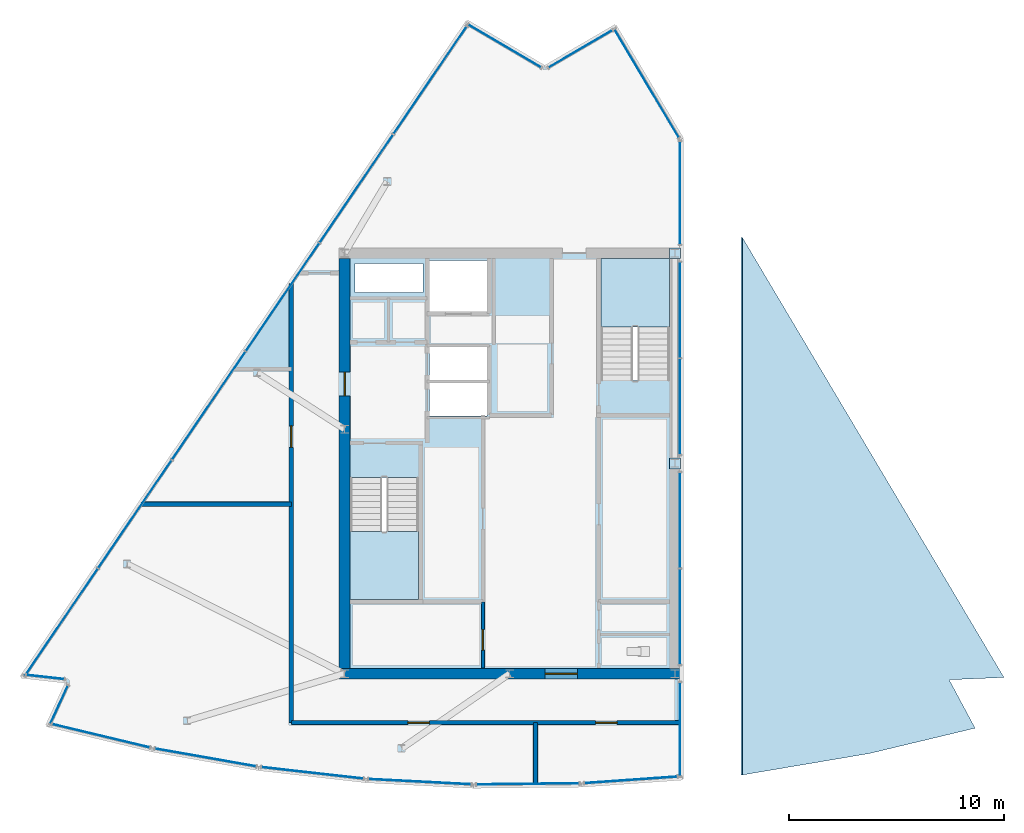
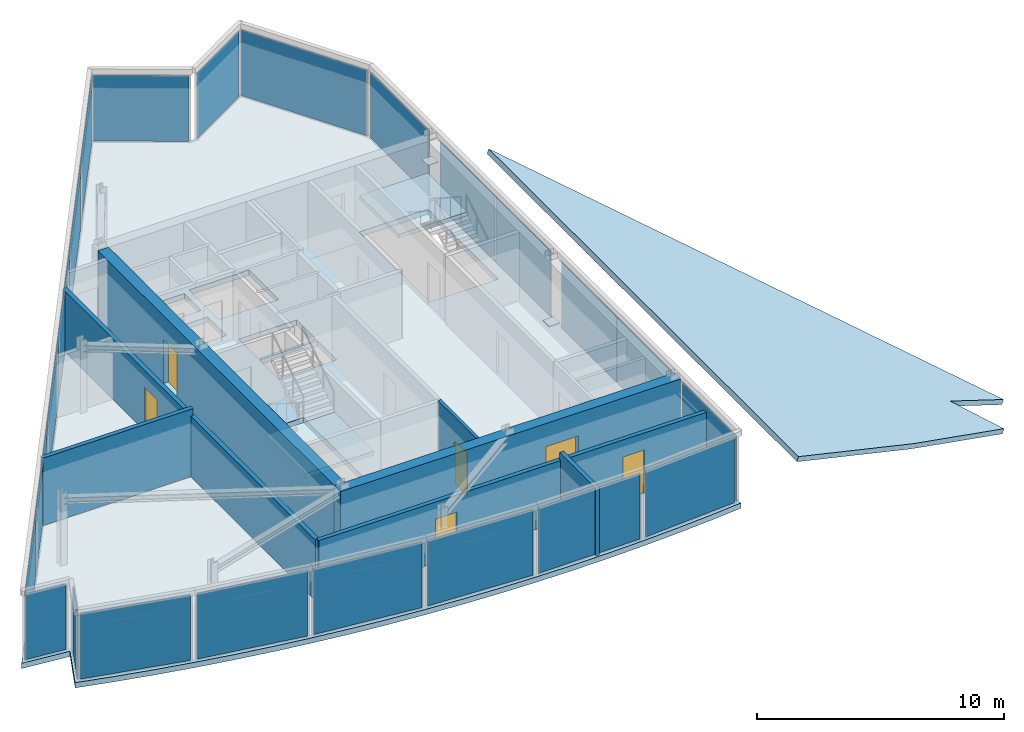
# One storey, part 4 of 10: 25 plates, 7 walls, 6 doors, 4 slabs, 6 openings, 18 elements without a shape of their own.
"""IFC4 building model written with IfcOpenShell, lengths in metres."""

from ifc_helpers import new_model, si_unit, direction, frame, frame_2d, origin, origin_2d, place, context, subcontext, project, spatial, polyline, rectangle, outline, extrude, material, layer, layer_set, type_object, element, fill, aggregate, save


model = new_model("IFC4")

# Units and contexts
model_context = context("Model", 3, precision=1e-05, world=origin(), true_north=direction((0.0, 1.0)))
body_context = subcontext(model_context, "Body", "Model", "MODEL_VIEW")
ifc_project = project(units=[si_unit("LENGTHUNIT", "METRE"), si_unit("AREAUNIT", "SQUARE_METRE"), si_unit("VOLUMEUNIT", "CUBIC_METRE"), si_unit("PLANEANGLEUNIT", "RADIAN"), si_unit("MASSUNIT", "GRAM", prefix="KILO")], contexts=[model_context])

# Site, building, storey
site_placement = place(None, origin())
site = spatial("IfcSite", under=ifc_project, at=site_placement, CompositionType="ELEMENT")
building_placement = place(site_placement, origin())
building = spatial("IfcBuilding", under=site, at=building_placement, Name="Savorim Split Tower", CompositionType="ELEMENT")
storey_placement = place(building_placement, frame((0.0, 0.0, 315.60009765625)))
storey = spatial("IfcBuildingStorey", under=building, at=storey_placement, Name="Crown L84 Plant", CompositionType="ELEMENT", Elevation=315.60009765625)

# Curtain wall, plate
ifc_material_1 = material(Name="Dark Ceramic-Fritted Insulated Glass", Category="glass")
curtain_wall_type = type_object("IfcCurtainWallType", Name="CW-CROWN-CREST", PredefinedType="NOTDEFINED", material=ifc_material_1)
curtain_wall_1_placement = place(storey_placement, origin())
curtain_wall_1 = element("IfcCurtainWall", 1, at=curtain_wall_1_placement, inside=storey, type_object=curtain_wall_type, Name="Crown L84 Plant Curtain Wall CW-Crown-L84-Plant-W1AS1", PredefinedType="NOTDEFINED")
ifc_layer_1 = layer(ifc_material_1, 0.02587890625)
ifc_layer_set_1 = layer_set([ifc_layer_1], Name="CWP-FRITB-26")
plate_type_1 = type_object("IfcPlateType", Name="CWP-FRITB-26", PredefinedType="CURTAIN_PANEL", material=ifc_layer_set_1)
plate_1_placement = place(storey_placement, frame((7.929931640625, -11.995849609375, 0.0498046875), z_axis=(0.0, 0.0, 1.0), x_axis=(0.0, 1.0, 0.0)))
plate_1 = element("IfcPlate", 2, at=plate_1_placement, type_object=plate_type_1, Name="CW-07 panel 1.1", PredefinedType="CURTAIN_PANEL", context=body_context, shape_type="SweptSolid", body=[
    extrude(rectangle(XDim=4.339599609375, YDim=0.02587890625, at=origin_2d()), origin(), (0.0, 0.0, 1.0), 3.239990234375),
])
aggregate(curtain_wall_1, [plate_1])

# Curtain wall, plates
curtain_wall_2_placement = place(storey_placement, origin())
curtain_wall_2 = element("IfcCurtainWall", 3, at=curtain_wall_2_placement, inside=storey, type_object=curtain_wall_type, Name="Crown L84 Plant Curtain Wall CW-Crown-L84-Plant-W1AS2", PredefinedType="NOTDEFINED")
plate_2_placement = place(storey_placement, frame((7.929931640625, -6.751953125, 0.0498046875), z_axis=(0.0, 0.0, 1.0), x_axis=(0.0, 1.0, 0.0)))
plate_2 = element("IfcPlate", 4, at=plate_2_placement, type_object=plate_type_1, Name="CW-07 panel 1.1", PredefinedType="CURTAIN_PANEL", context=body_context, shape_type="SweptSolid", body=[
    extrude(rectangle(XDim=4.444091796875, YDim=0.02587890625, at=origin_2d()), origin(), (0.0, 0.0, 1.0), 3.239990234375),
])
plate_3_placement = place(storey_placement, frame((7.929931640625, -2.248046875, 0.0498046875), z_axis=(0.0, 0.0, 1.0), x_axis=(0.0, 1.0, 0.0)))
plate_3 = element("IfcPlate", 5, at=plate_3_placement, type_object=plate_type_1, Name="CW-07 panel 2.1", PredefinedType="CURTAIN_PANEL", context=body_context, shape_type="SweptSolid", body=[
    extrude(rectangle(XDim=4.444091796875, YDim=0.02587890625, at=origin_2d()), origin(), (0.0, 0.0, 1.0), 3.239990234375),
])
aggregate(curtain_wall_2, [plate_2, plate_3])

curtain_wall_3_placement = place(storey_placement, origin())
curtain_wall_3 = element("IfcCurtainWall", 6, at=curtain_wall_3_placement, inside=storey, type_object=curtain_wall_type, Name="Crown L84 Plant Curtain Wall CW-Crown-L84-Plant-W1AS3", PredefinedType="NOTDEFINED")
plate_4_placement = place(storey_placement, frame((7.929931640625, 3.048095703125, 0.0498046875), z_axis=(0.0, 0.0, 1.0), x_axis=(0.0, 1.0, 0.0)))
plate_4 = element("IfcPlate", 7, at=plate_4_placement, type_object=plate_type_1, Name="CW-07 panel 1.1", PredefinedType="CURTAIN_PANEL", context=body_context, shape_type="SweptSolid", body=[
    extrude(rectangle(XDim=4.444091796875, YDim=0.02587890625, at=origin_2d()), origin(), (0.0, 0.0, 1.0), 3.239990234375),
])
plate_5_placement = place(storey_placement, frame((7.929931640625, 7.552001953125, 0.0498046875), z_axis=(0.0, 0.0, 1.0), x_axis=(0.0, 1.0, 0.0)))
plate_5 = element("IfcPlate", 8, at=plate_5_placement, type_object=plate_type_1, Name="CW-07 panel 2.1", PredefinedType="CURTAIN_PANEL", context=body_context, shape_type="SweptSolid", body=[
    extrude(rectangle(XDim=4.444091796875, YDim=0.02587890625, at=origin_2d()), origin(), (0.0, 0.0, 1.0), 3.239990234375),
])
aggregate(curtain_wall_3, [plate_4, plate_5])

# Curtain wall, plate
curtain_wall_4_placement = place(storey_placement, origin())
curtain_wall_4 = element("IfcCurtainWall", 9, at=curtain_wall_4_placement, inside=storey, type_object=curtain_wall_type, Name="Crown L84 Plant Curtain Wall CW-Crown-L84-Plant-W1AS4", PredefinedType="NOTDEFINED")
plate_6_placement = place(storey_placement, frame((7.929931640625, 13.015869140625, 0.0498046875), z_axis=(0.0, 0.0, 1.0), x_axis=(0.0, 1.0, 0.0)))
plate_6 = element("IfcPlate", 10, at=plate_6_placement, type_object=plate_type_1, Name="CW-07 panel 1.1", PredefinedType="CURTAIN_PANEL", context=body_context, shape_type="SweptSolid", body=[
    extrude(rectangle(XDim=4.77978515625, YDim=0.02587890625, at=origin_2d()), origin(), (0.0, 0.0, 1.0), 3.239990234375),
])
aggregate(curtain_wall_4, [plate_6])

curtain_wall_5_placement = place(storey_placement, origin())
curtain_wall_5 = element("IfcCurtainWall", 11, at=curtain_wall_5_placement, inside=storey, type_object=curtain_wall_type, Name="Crown L84 Plant Curtain Wall CW-Crown-L84-Plant-W2A", PredefinedType="NOTDEFINED")
plate_7_placement = place(storey_placement, frame((6.3818359375, 18.116455078125, 0.0498046875), z_axis=(0.0, 0.0, 1.0), x_axis=(-0.511098828813, 0.859521952707, 0.0)))
plate_7 = element("IfcPlate", 12, at=plate_7_placement, type_object=plate_type_1, Name="CW-07 panel 1.1", PredefinedType="CURTAIN_PANEL", context=body_context, shape_type="SweptSolid", body=[
    extrude(rectangle(XDim=5.843994140625, YDim=0.02587890625, at=origin_2d()), origin(), (0.0, 0.0, 1.0), 3.239990234375),
])
aggregate(curtain_wall_5, [plate_7])

curtain_wall_6_placement = place(storey_placement, origin())
curtain_wall_6 = element("IfcCurtainWall", 13, at=curtain_wall_6_placement, inside=storey, type_object=curtain_wall_type, Name="Crown L84 Plant Curtain Wall CW-Crown-L84-Plant-W3A", PredefinedType="NOTDEFINED")
plate_8_placement = place(storey_placement, frame((3.2919921875, 19.721923828125, 0.0498046875), z_axis=(0.0, 0.0, 1.0), x_axis=(-0.863983828765, -0.503519556356, 0.0)))
plate_8 = element("IfcPlate", 14, at=plate_8_placement, type_object=plate_type_1, Name="CW-07 panel 1.1", PredefinedType="CURTAIN_PANEL", context=body_context, shape_type="SweptSolid", body=[
    extrude(rectangle(XDim=3.41845703125, YDim=0.02587890625, at=origin_2d()), origin(), (0.0, 0.0, 1.0), 3.239990234375),
])
aggregate(curtain_wall_6, [plate_8])

curtain_wall_7_placement = place(storey_placement, origin())
curtain_wall_7 = element("IfcCurtainWall", 15, at=curtain_wall_7_placement, inside=storey, type_object=curtain_wall_type, Name="Crown L84 Plant Curtain Wall CW-Crown-L84-Plant-W4A", PredefinedType="NOTDEFINED")
plate_9_placement = place(storey_placement, frame((-0.235107421875, 19.853759765625, 0.0498046875), z_axis=(0.0, 0.0, 1.0), x_axis=(-0.86212020365, 0.506703813346, 0.0)))
plate_9 = element("IfcPlate", 16, at=plate_9_placement, type_object=plate_type_1, Name="CW-07 panel 1.1", PredefinedType="CURTAIN_PANEL", context=body_context, shape_type="SweptSolid", body=[
    extrude(rectangle(XDim=3.914794921875, YDim=0.02587890625, at=origin_2d()), origin(), (0.0, 0.0, 1.0), 3.239990234375),
])
aggregate(curtain_wall_7, [plate_9])

# Curtain wall, plates
curtain_wall_8_placement = place(storey_placement, origin())
curtain_wall_8 = element("IfcCurtainWall", 17, at=curtain_wall_8_placement, inside=storey, type_object=curtain_wall_type, Name="Crown L84 Plant Curtain Wall CW-Crown-L84-Plant-W5A", PredefinedType="NOTDEFINED")
plate_10_placement = place(storey_placement, frame((-3.716552734375, 18.257568359375, 0.0498046875), z_axis=(0.0, 0.0, 1.0), x_axis=(-0.56246654398, -0.826820045054, 0.0)))
plate_10 = element("IfcPlate", 18, at=plate_10_placement, type_object=plate_type_1, Name="CW-07 panel 1.1", PredefinedType="CURTAIN_PANEL", context=body_context, shape_type="SweptSolid", body=[
    extrude(rectangle(XDim=6.02880859375, YDim=0.02587890625, at=origin_2d()), origin(), (0.0, 0.0, 1.0), 3.239990234375),
])
plate_11_placement = place(storey_placement, frame((-7.149658203125, 13.2109375, 0.0498046875), z_axis=(0.0, 0.0, 1.0), x_axis=(-0.56246654398, -0.826820045054, 0.0)))
plate_11 = element("IfcPlate", 19, at=plate_11_placement, type_object=plate_type_1, Name="CW-07 panel 2.1", PredefinedType="CURTAIN_PANEL", context=body_context, shape_type="SweptSolid", body=[
    extrude(rectangle(XDim=6.058837890625, YDim=0.02587890625, at=origin_2d()), origin(), (0.0, 0.0, 1.0), 3.239990234375),
])
plate_12_placement = place(storey_placement, frame((-10.59130859375, 8.151611328125, 0.0498046875), z_axis=(0.0, 0.0, 1.0), x_axis=(-0.56246654398, -0.826820045054, 0.0)))
plate_12 = element("IfcPlate", 20, at=plate_12_placement, type_object=plate_type_1, Name="CW-07 panel 3.1", PredefinedType="CURTAIN_PANEL", context=body_context, shape_type="SweptSolid", body=[
    extrude(rectangle(XDim=6.058837890625, YDim=0.02587890625, at=origin_2d()), origin(), (0.0, 0.0, 1.0), 3.239990234375),
])
plate_13_placement = place(storey_placement, frame((-14.032958984375, 3.092529296875, 0.0498046875), z_axis=(0.0, 0.0, 1.0), x_axis=(-0.56246654398, -0.826820045054, 0.0)))
plate_13 = element("IfcPlate", 21, at=plate_13_placement, type_object=plate_type_1, Name="CW-07 panel 4.1", PredefinedType="CURTAIN_PANEL", context=body_context, shape_type="SweptSolid", body=[
    extrude(rectangle(XDim=6.058837890625, YDim=0.02587890625, at=origin_2d()), origin(), (0.0, 0.0, 1.0), 3.239990234375),
])
plate_14_placement = place(storey_placement, frame((-17.474609375, -1.966552734375, 0.0498046875), z_axis=(0.0, 0.0, 1.0), x_axis=(-0.56246654398, -0.826820045054, 0.0)))
plate_14 = element("IfcPlate", 22, at=plate_14_placement, type_object=plate_type_1, Name="CW-07 panel 5.1", PredefinedType="CURTAIN_PANEL", context=body_context, shape_type="SweptSolid", body=[
    extrude(rectangle(XDim=6.058837890625, YDim=0.02587890625, at=origin_2d()), origin(), (0.0, 0.0, 1.0), 3.239990234375),
])
plate_15_placement = place(storey_placement, frame((-20.90771484375, -7.01318359375, 0.0498046875), z_axis=(0.0, 0.0, 1.0), x_axis=(-0.56246654398, -0.826820045054, 0.0)))
plate_15 = element("IfcPlate", 23, at=plate_15_placement, type_object=plate_type_1, Name="CW-07 panel 6.1", PredefinedType="CURTAIN_PANEL", context=body_context, shape_type="SweptSolid", body=[
    extrude(rectangle(XDim=6.02880859375, YDim=0.02587890625, at=origin_2d()), origin(), (0.0, 0.0, 1.0), 3.239990234375),
])
aggregate(curtain_wall_8, [plate_10, plate_11, plate_12, plate_13, plate_14, plate_15])

# Curtain wall, plate
curtain_wall_9_placement = place(storey_placement, origin())
curtain_wall_9 = element("IfcCurtainWall", 24, at=curtain_wall_9_placement, inside=storey, type_object=curtain_wall_type, Name="Crown L84 Plant Curtain Wall CW-Crown-L84-Plant-W6A", PredefinedType="NOTDEFINED")
plate_16_placement = place(storey_placement, frame((-21.65185546875, -9.55908203125, 0.0498046875), z_axis=(0.0, 0.0, 1.0), x_axis=(0.993819192461, -0.111010867473, 0.0)))
plate_16 = element("IfcPlate", 25, at=plate_16_placement, type_object=plate_type_1, Name="CW-07 panel 1.1", PredefinedType="CURTAIN_PANEL", context=body_context, shape_type="SweptSolid", body=[
    extrude(rectangle(XDim=1.75537109375, YDim=0.02587890625, at=origin_2d()), origin(), (0.0, 0.0, 1.0), 3.239990234375),
])
aggregate(curtain_wall_9, [plate_16])

curtain_wall_10_placement = place(storey_placement, origin())
curtain_wall_10 = element("IfcCurtainWall", 26, at=curtain_wall_10_placement, inside=storey, type_object=curtain_wall_type, Name="Crown L84 Plant Curtain Wall CW-Crown-L84-Plant-W7A", PredefinedType="NOTDEFINED")
plate_17_placement = place(storey_placement, frame((-21.010009765625, -10.853759765625, 0.0498046875), z_axis=(0.0, 0.0, 1.0), x_axis=(-0.417493697045, -0.908679818708, 0.0)))
plate_17 = element("IfcPlate", 27, at=plate_17_placement, type_object=plate_type_1, Name="CW-07 panel 1.1", PredefinedType="CURTAIN_PANEL", context=body_context, shape_type="SweptSolid", body=[
    extrude(rectangle(XDim=1.947998046875, YDim=0.02587890625, at=origin_2d()), origin(), (0.0, 0.0, 1.0), 3.239990234375),
])
aggregate(curtain_wall_10, [plate_17])

curtain_wall_11_placement = place(storey_placement, origin())
curtain_wall_11 = element("IfcCurtainWall", 28, at=curtain_wall_11_placement, inside=storey, type_object=curtain_wall_type, Name="Crown L84 Plant Curtain Wall CW-Crown-L84-Plant-W8A", PredefinedType="NOTDEFINED")
plate_18_placement = place(storey_placement, frame((-19.0546875, -12.299072265625, 0.0498046875), z_axis=(0.0, 0.0, 1.0), x_axis=(0.972438231439, -0.233160644267, 0.0)))
plate_18 = element("IfcPlate", 29, at=plate_18_placement, type_object=plate_type_1, Name="CW-07 panel 1.1", PredefinedType="CURTAIN_PANEL", context=body_context, shape_type="SweptSolid", body=[
    extrude(rectangle(XDim=4.654296875, YDim=0.02587890625, at=origin_2d()), origin(), (0.0, 0.0, 1.0), 3.239990234375),
])
aggregate(curtain_wall_11, [plate_18])

curtain_wall_12_placement = place(storey_placement, origin())
curtain_wall_12 = element("IfcCurtainWall", 30, at=curtain_wall_12_placement, inside=storey, type_object=curtain_wall_type, Name="Crown L84 Plant Curtain Wall CW-Crown-L84-Plant-W9A", PredefinedType="NOTDEFINED")
plate_19_placement = place(storey_placement, frame((-14.18115234375, -13.308837890625, 0.0498046875), z_axis=(0.0, 0.0, 1.0), x_axis=(0.984911828095, -0.173056900697, 0.0)))
plate_19 = element("IfcPlate", 31, at=plate_19_placement, type_object=plate_type_1, Name="CW-07 panel 1.1", PredefinedType="CURTAIN_PANEL", context=body_context, shape_type="SweptSolid", body=[
    extrude(rectangle(XDim=4.75927734375, YDim=0.02587890625, at=origin_2d()), origin(), (0.0, 0.0, 1.0), 3.239990234375),
])
aggregate(curtain_wall_12, [plate_19])

curtain_wall_13_placement = place(storey_placement, origin())
curtain_wall_13 = element("IfcCurtainWall", 32, at=curtain_wall_13_placement, inside=storey, type_object=curtain_wall_type, Name="Crown L84 Plant Curtain Wall CW-Crown-L84-Plant-W10A", PredefinedType="NOTDEFINED")
plate_20_placement = place(storey_placement, frame((-9.202880859375, -14.02685546875, 0.0498046875), z_axis=(0.0, 0.0, 1.0), x_axis=(0.993670979106, -0.112329805852, 0.0)))
plate_20 = element("IfcPlate", 33, at=plate_20_placement, type_object=plate_type_1, Name="CW-07 panel 1.1", PredefinedType="CURTAIN_PANEL", context=body_context, shape_type="SweptSolid", body=[
    extrude(rectangle(XDim=4.75927734375, YDim=0.02587890625, at=origin_2d()), origin(), (0.0, 0.0, 1.0), 3.239990234375),
])
aggregate(curtain_wall_13, [plate_20])

curtain_wall_14_placement = place(storey_placement, origin())
curtain_wall_14 = element("IfcCurtainWall", 34, at=curtain_wall_14_placement, inside=storey, type_object=curtain_wall_type, Name="Crown L84 Plant Curtain Wall CW-Crown-L84-Plant-W11A", PredefinedType="NOTDEFINED")
plate_21_placement = place(storey_placement, frame((-4.190185546875, -14.43798828125, 0.0498046875), z_axis=(0.0, 0.0, 1.0), x_axis=(0.998690779459, -0.051153954138, 0.0)))
plate_21 = element("IfcPlate", 35, at=plate_21_placement, type_object=plate_type_1, Name="CW-07 panel 1.1", PredefinedType="CURTAIN_PANEL", context=body_context, shape_type="SweptSolid", body=[
    extrude(rectangle(XDim=4.75927734375, YDim=0.02587890625, at=origin_2d()), origin(), (0.0, 0.0, 1.0), 3.239990234375),
])
aggregate(curtain_wall_14, [plate_21])

curtain_wall_15_placement = place(storey_placement, origin())
curtain_wall_15 = element("IfcCurtainWall", 36, at=curtain_wall_15_placement, inside=storey, type_object=curtain_wall_type, Name="Crown L84 Plant Curtain Wall CW-Crown-L84-Plant-W12A", PredefinedType="NOTDEFINED")
plate_22_placement = place(storey_placement, frame((0.83837890625, -14.541015625, 0.0498046875), z_axis=(0.0, 0.0, 1.0), x_axis=(0.999947705311, 0.010226761181, 0.0)))
plate_22 = element("IfcPlate", 37, at=plate_22_placement, type_object=plate_type_1, Name="CW-07 panel 1.1", PredefinedType="CURTAIN_PANEL", context=body_context, shape_type="SweptSolid", body=[
    extrude(rectangle(XDim=4.75927734375, YDim=0.02587890625, at=origin_2d()), origin(), (0.0, 0.0, 1.0), 3.239990234375),
])
aggregate(curtain_wall_15, [plate_22])

curtain_wall_16_placement = place(storey_placement, origin())
curtain_wall_16 = element("IfcCurtainWall", 38, at=curtain_wall_16_placement, inside=storey, type_object=curtain_wall_type, Name="Crown L84 Plant Curtain Wall CW-Crown-L84-Plant-W13A", PredefinedType="NOTDEFINED")
plate_23_placement = place(storey_placement, frame((5.643798828125, -14.3544921875, 0.0498046875), z_axis=(0.0, 0.0, 1.0), x_axis=(0.99753938404, 0.070108325395, 0.0)))
plate_23 = element("IfcPlate", 39, at=plate_23_placement, type_object=plate_type_1, Name="CW-07 panel 1.1", PredefinedType="CURTAIN_PANEL", context=body_context, shape_type="SweptSolid", body=[
    extrude(rectangle(XDim=4.3173828125, YDim=0.02587890625, at=origin_2d()), origin(), (0.0, 0.0, 1.0), 3.239990234375),
])
aggregate(curtain_wall_16, [plate_23])

# Plates
ifc_material_2 = material(Name="Steel S460", Category="steel")
ifc_layer_2 = layer(ifc_material_2, 0.02490234375)
ifc_layer_set_2 = layer_set([ifc_layer_2], Name="PLT-NODE-CN1")
plate_type_2 = type_object("IfcPlateType", Name="PLT-NODE-CN1", PredefinedType="SHEET", material=ifc_layer_set_2)
for number, where, z_axis, x_axis, name in (
    (40, (7.699951171875, 0.39990234375, 0.137451171875), (0.0, 0.0, 1.0), (1.0, 0.0, 0.0), "Crown L84 Plant Crown Spine Base Gusset Plate CN1"),
    (41, (7.699951171875, 10.199951171875, 2.137451171875), (0.0, 0.0, 1.0), (1.0, 0.0, 0.0), "Crown L84 Plant Crown Spine Top Gusset Plate CN2"),
):
    element("IfcPlate", number, at=place(storey_placement, frame(where, z_axis=z_axis, x_axis=x_axis)), inside=storey, type_object=plate_type_2, Name=name, PredefinedType="SHEET", context=body_context, shape_type="SweptSolid", body=[
        extrude(rectangle(XDim=0.5, YDim=0.5, at=origin_2d()), origin(), (0.0, 0.0, 1.0), 0.02490234375),
    ])

# Slab
ifc_material_3 = material(Name="Concrete C50/60", Category="concrete")
ifc_layer_3 = layer(ifc_material_3, 0.260009765625)
ifc_layer_set_3 = layer_set([ifc_layer_3], Name="SLB-CRN-260")
slab_type_1 = type_object("IfcSlabType", Name="SLB-CRN-260", PredefinedType="FLOOR", material=ifc_layer_set_3)
slab_1_placement = place(storey_placement, frame((0.0, 0.0, -0.260009765625)))
element("IfcSlab", 42, at=slab_1_placement, inside=storey, type_object=slab_type_1, Name="Crown L84 Plant West Split Crown Floor Slab", PredefinedType="FLOOR", context=body_context, shape_type="SweptSolid", body=[
    extrude(outline(polyline([(8.050048828125, -14.3056640625), (8.050048828125, 15.5458984375), (4.920166015625, 20.8095703125), (1.634033203125, 18.894287109375), (-1.982421875, 21.02001953125), (-22.781005859375, -9.5537109375), (-20.65380859375, -9.79150390625), (-21.583984375, -11.81591796875), (-19.95849609375, -12.2412109375), (-18.324951171875, -12.6328125), (-16.68359375, -12.990966796875), (-15.03515625, -13.3154296875), (-13.380615234375, -13.606201171875), (-11.72021484375, -13.863037109375), (-10.054931640625, -14.0859375), (-8.385498046875, -14.274658203125), (-6.712646484375, -14.42919921875), (-5.037109375, -14.54931640625), (-3.359130859375, -14.63525390625), (-1.679931640625, -14.686767578125), (0.0, -14.7041015625), (1.679931640625, -14.686767578125), (3.359130859375, -14.63525390625), (5.037109375, -14.54931640625), (6.712646484375, -14.42919921875), (8.050048828125, -14.3056640625)]), holes=[polyline([(-7.449951171875, -0.25390625), (-7.449951171875, -5.949951171875), (-4.25, -5.949951171875), (-4.25, -0.25390625), (-7.449951171875, -0.25390625)]), polyline([(7.449951171875, 4.25390625), (7.449951171875, 9.949951171875), (4.25, 9.949951171875), (4.25, 4.25390625), (7.449951171875, 4.25390625)]), polyline([(-3.75, 2.60009765625), (-1.050048828125, 2.60009765625), (-1.050048828125, 4.159912109375), (-3.75, 4.159912109375), (-3.75, 2.60009765625)]), polyline([(-3.75, 4.280029296875), (-1.050048828125, 4.280029296875), (-1.050048828125, 5.840087890625), (-3.75, 5.840087890625), (-3.75, 4.280029296875)]), polyline([(-3.75, 7.449951171875), (-0.949951171875, 7.449951171875), (-0.949951171875, 9.85009765625), (-3.75, 9.85009765625), (-3.75, 7.449951171875)]), polyline([(-7.219970703125, 6.320068359375), (-5.919921875, 6.320068359375), (-5.919921875, 7.820068359375), (-7.219970703125, 7.820068359375), (-7.219970703125, 6.320068359375)]), polyline([(-5.3798828125, 6.320068359375), (-4.050048828125, 6.320068359375), (-4.050048828125, 7.820068359375), (-5.3798828125, 7.820068359375), (-5.3798828125, 6.320068359375)]), polyline([(-7.219970703125, 8.360107421875), (-4.050048828125, 8.360107421875), (-4.050048828125, 9.719970703125), (-7.219970703125, 9.719970703125), (-7.219970703125, 8.360107421875)])]), origin(), (0.0, 0.0, 1.0), 0.260009765625),
])

# Stair, slab
stair_type = type_object("IfcStairType", Name="STR-DOG-3600", PredefinedType="HALF_TURN_STAIR", material=ifc_material_3)
stair_1_placement = place(storey_placement, origin())
stair_1 = element("IfcStair", 43, at=stair_1_placement, inside=storey, type_object=stair_type, Name="Crown L84 Plant Core Protected Exit Stair ST-1", PredefinedType="HALF_TURN_STAIR")
ifc_layer_4 = layer(ifc_material_3, 0.199951171875)
ifc_layer_set_4 = layer_set([ifc_layer_4], Name="SLB-LND-200")
slab_type_2 = type_object("IfcSlabType", Name="SLB-LND-200", PredefinedType="LANDING", material=ifc_layer_set_4)
slab_2_placement = place(storey_placement, frame((0.0, 0.0, 1.599853515625)))
slab_2 = element("IfcSlab", 44, at=slab_2_placement, type_object=slab_type_2, Name="ST-1 landing 1", PredefinedType="LANDING", context=body_context, shape_type="SweptSolid", body=[
    extrude(outline(polyline([(-7.449951171875, -2.77001953125), (-7.449951171875, -5.949951171875), (-4.25, -5.949951171875), (-4.25, -2.77001953125), (-7.449951171875, -2.77001953125)])), origin(), (0.0, 0.0, 1.0), 0.199951171875),
])
aggregate(stair_1, [slab_2])

stair_2_placement = place(storey_placement, origin())
stair_2 = element("IfcStair", 45, at=stair_2_placement, inside=storey, type_object=stair_type, Name="Crown L84 Plant Core Protected Exit Stair ST-2", PredefinedType="HALF_TURN_STAIR")
slab_3_placement = place(storey_placement, frame((0.0, 0.0, 1.599853515625)))
slab_3 = element("IfcSlab", 46, at=slab_3_placement, type_object=slab_type_2, Name="ST-2 landing 1", PredefinedType="LANDING", context=body_context, shape_type="SweptSolid", body=[
    extrude(outline(polyline([(7.449951171875, 6.77001953125), (7.449951171875, 9.949951171875), (4.25, 9.949951171875), (4.25, 6.77001953125), (7.449951171875, 6.77001953125)])), origin(), (0.0, 0.0, 1.0), 0.199951171875),
])
aggregate(stair_2, [slab_3])

# Slab
ifc_layer_5 = layer(ifc_material_3, 0.239990234375)
ifc_layer_set_5 = layer_set([ifc_layer_5], Name="SLB-ROOF-240")
slab_type_3 = type_object("IfcSlabType", Name="SLB-ROOF-240", PredefinedType="ROOF", material=ifc_layer_set_5)
slab_4_placement = place(storey_placement, frame((10.85009765625, 10.92578125, 1.199951171875), z_axis=(0.326139301126, -6.467367e-06, 0.945321721013), x_axis=(-2.109263e-06, -0.999999999979, -6.113743e-06)))
element("IfcSlab", 47, at=slab_4_placement, inside=storey, type_object=slab_type_3, Name="East Split Crown Sloped Crest Roof Slab", PredefinedType="ROOF", context=body_context, shape_type="SweptSolid", body=[
    extrude(outline(polyline([(0.0, 0.0), (25.050781249476103, 0.0), (24.04931640668761, 6.263677092795473), (22.868164062244972, 11.474848323798241), (20.612792968814304, 10.194658388227637), (20.504150390002565, 12.897332872529086), (0.0, 0.0)])), origin(), (0.0, 0.0, -1.0), 0.239990234375),
])

# Wall, opening, door
ifc_material_4 = material(Name="Concrete C60/75", Category="concrete")
ifc_layer_6 = layer(ifc_material_4, 0.5)
ifc_layer_set_6 = layer_set([ifc_layer_6], Name="WAL-COR-SH500")
wall_type_1 = type_object("IfcWallType", Name="WAL-COR-SH500", PredefinedType="SHEAR", material=ifc_layer_set_6)
wall_1_placement = place(storey_placement, frame((-7.949951171875, -9.39990234375, 0.0), z_axis=(0.0, 0.0, 1.0), x_axis=(1.0, 0.0, 0.0)))
wall_1 = element("IfcWall", 48, at=wall_1_placement, inside=storey, type_object=wall_type_1, Name="Crown L84 Plant Offset Core South Shear Wall", PredefinedType="SHEAR", context=body_context, shape_type="SweptSolid", body=[
    extrude(rectangle(XDim=15.89990234375, YDim=0.5, at=frame_2d((7.949951171875, 0.0))), origin(), (0.0, 0.0, 1.0), 3.33984375),
])
opening_1_placement = place(wall_1_placement, frame((9.60009765625, 0.0, 0.0)))
opening_1 = element("IfcOpeningElement", 49, at=opening_1_placement, cuts=wall_1, Name="Opening DI-02", PredefinedType="OPENING", context=body_context, shape_type="SweptSolid", body=[
    extrude(rectangle(XDim=1.5, YDim=2.199951171875, at=frame_2d((0.75, 1.10009765625))), frame((0.0, 0.260009765625, 0.0), z_axis=(0.0, -1.0, 0.0), x_axis=(1.0, 0.0, 0.0)), (0.0, 0.0, 1.0), 0.52001953125),
])
ifc_material_5 = material(Name="Timber Fire Door Leaf", Category="wood")
door_type_1 = type_object("IfcDoorType", Name="DOR-DBL-1500", OperationType="NOTDEFINED", PredefinedType="DOOR", material=ifc_material_5)
door_1_placement = place(opening_1_placement, origin())
door_1 = element("IfcDoor", 50, at=door_1_placement, inside=storey, type_object=door_type_1, Name="DOR-Crown-L84-Plant-COR-LLOB - Crown L84 Plant Lift Lobby Main Rated Door", OperationType="DOUBLE_DOOR_SINGLE_SWING", OverallHeight=2.199951171875, OverallWidth=1.5, PredefinedType="DOOR", context=body_context, shape_type="SweptSolid", body=[
    extrude(rectangle(XDim=1.5, YDim=2.199951171875, at=frame_2d((0.75, 1.10009765625))), frame((0.0, 0.02490234375, 0.0), z_axis=(0.0, -1.0, 0.0), x_axis=(1.0, 0.0, 0.0)), (0.0, 0.0, 1.0), 0.050048828125),
])
fill(opening_1, door_1)

wall_2_placement = place(storey_placement, frame((-7.699951171875, -9.14990234375, 0.0), z_axis=(0.0, 0.0, 1.0), x_axis=(0.0, 1.0, 0.0)))
wall_2 = element("IfcWall", 51, at=wall_2_placement, inside=storey, type_object=wall_type_1, Name="Crown L84 Plant Offset Core West Shear Wall", PredefinedType="SHEAR", context=body_context, shape_type="SweptSolid", body=[
    extrude(rectangle(XDim=19.099853515625, YDim=0.5, at=frame_2d((9.5498046875, 0.0))), origin(), (0.0, 0.0, 1.0), 3.33984375),
])
opening_2_placement = place(wall_2_placement, frame((12.699951171875, 0.0, 0.0)))
opening_2 = element("IfcOpeningElement", 52, at=opening_2_placement, cuts=wall_2, Name="Opening DI-03", PredefinedType="OPENING", context=body_context, shape_type="SweptSolid", body=[
    extrude(rectangle(XDim=1.10009765625, YDim=2.14990234375, at=frame_2d((0.550048828125, 1.074951171875))), frame((0.0, 0.260009765625, 0.0), z_axis=(0.0, -1.0, 0.0), x_axis=(1.0, 0.0, 0.0)), (0.0, 0.0, 1.0), 0.52001953125),
])
door_type_2 = type_object("IfcDoorType", Name="DOR-FIR-1100", OperationType="NOTDEFINED", PredefinedType="DOOR", material=ifc_material_5)
door_2_placement = place(opening_2_placement, origin())
door_2 = element("IfcDoor", 53, at=door_2_placement, inside=storey, type_object=door_type_2, Name="DOR-Crown-L84-Plant-COR-FFLOB - Crown L84 Plant Firefighting Lobby Corridor Door", OperationType="SINGLE_SWING_RIGHT", OverallHeight=2.14990234375, OverallWidth=1.10009765625, PredefinedType="DOOR", context=body_context, shape_type="SweptSolid", body=[
    extrude(rectangle(XDim=1.10009765625, YDim=2.14990234375, at=frame_2d((0.550048828125, 1.074951171875))), frame((0.0, 0.02490234375, 0.0), z_axis=(0.0, -1.0, 0.0), x_axis=(1.0, 0.0, 0.0)), (0.0, 0.0, 1.0), 0.050048828125),
])
fill(opening_2, door_2)

ifc_layer_7 = layer(ifc_material_3, 0.199951171875)
ifc_layer_set_7 = layer_set([ifc_layer_7], Name="WAL-INT-RC200")
wall_type_2 = type_object("IfcWallType", Name="WAL-INT-RC200", PredefinedType="SOLIDWALL", material=ifc_layer_set_7)
wall_3_placement = place(storey_placement, frame((-10.179931640625, -11.679931640625, 0.0), z_axis=(0.0, 0.0, 1.0), x_axis=(0.0, 1.0, 0.0)))
wall_3 = element("IfcWall", 54, at=wall_3_placement, inside=storey, type_object=wall_type_2, Name="Crown L84 Plant Partition W-Crown-L84-Plant-CWPC1", PredefinedType="SOLIDWALL", context=body_context, shape_type="SweptSolid", body=[
    extrude(rectangle(XDim=20.4716796875, YDim=0.199951171875, at=frame_2d((10.23583984375, 0.0))), origin(), (0.0, 0.0, 1.0), 2.994873046875),
])
opening_3_placement = place(wall_3_placement, frame((12.830078125, 0.0, 0.0)))
opening_3 = element("IfcOpeningElement", 55, at=opening_3_placement, cuts=wall_3, Name="Opening DI-04", PredefinedType="OPENING", context=body_context, shape_type="SweptSolid", body=[
    extrude(rectangle(XDim=1.0, YDim=2.14990234375, at=frame_2d((0.5, 1.074951171875))), frame((0.0, 0.10986328125, 0.0), z_axis=(0.0, -1.0, 0.0), x_axis=(1.0, 0.0, 0.0)), (0.0, 0.0, 1.0), 0.219970703125),
])
door_type_3 = type_object("IfcDoorType", Name="DOR-FIR-1000", OperationType="NOTDEFINED", PredefinedType="DOOR", material=ifc_material_5)
door_3_placement = place(opening_3_placement, origin())
door_3 = element("IfcDoor", 56, at=door_3_placement, inside=storey, type_object=door_type_3, Name="DR-Crown-L84-Plant-RM04 - Crown L84 Plant Smoke Extract Fan Plant Room Entry Door", OperationType="SINGLE_SWING_LEFT", OverallHeight=2.14990234375, OverallWidth=1.0, PredefinedType="DOOR", context=body_context, shape_type="SweptSolid", body=[
    extrude(rectangle(XDim=1.0, YDim=2.14990234375, at=frame_2d((0.5, 1.074951171875))), frame((0.0, 0.02490234375, 0.0), z_axis=(0.0, -1.0, 0.0), x_axis=(1.0, 0.0, 0.0)), (0.0, 0.0, 1.0), 0.050048828125),
])
fill(opening_3, door_3)

# Wall, openings, doors
wall_4_placement = place(storey_placement, frame((-10.179931640625, -11.679931640625, 0.0), z_axis=(0.0, 0.0, 1.0), x_axis=(1.0, 0.0, 0.0)))
wall_4 = element("IfcWall", 57, at=wall_4_placement, inside=storey, type_object=wall_type_2, Name="Crown L84 Plant Partition W-Crown-L84-Plant-CWPC2", PredefinedType="SOLIDWALL", context=body_context, shape_type="SweptSolid", body=[
    extrude(rectangle(XDim=18.1298828125, YDim=0.199951171875, at=frame_2d((9.06494140625, 0.0))), origin(), (0.0, 0.0, 1.0), 2.994873046875),
])
opening_4_placement = place(wall_4_placement, frame((5.436279296875, 0.0, 0.0)))
opening_4 = element("IfcOpeningElement", 58, at=opening_4_placement, cuts=wall_4, Name="Opening DI-04", PredefinedType="OPENING", context=body_context, shape_type="SweptSolid", body=[
    extrude(rectangle(XDim=1.0, YDim=2.14990234375, at=frame_2d((0.5, 1.074951171875))), frame((0.0, 0.10986328125, 0.0), z_axis=(0.0, -1.0, 0.0), x_axis=(1.0, 0.0, 0.0)), (0.0, 0.0, 1.0), 0.219970703125),
])
opening_5_placement = place(wall_4_placement, frame((14.188720703125, 0.0, 0.0)))
opening_5 = element("IfcOpeningElement", 59, at=opening_5_placement, cuts=wall_4, Name="Opening DI-04", PredefinedType="OPENING", context=body_context, shape_type="SweptSolid", body=[
    extrude(rectangle(XDim=1.0, YDim=2.14990234375, at=frame_2d((0.5, 1.074951171875))), frame((0.0, 0.10986328125, 0.0), z_axis=(0.0, -1.0, 0.0), x_axis=(1.0, 0.0, 0.0)), (0.0, 0.0, 1.0), 0.219970703125),
])
door_4_placement = place(opening_4_placement, origin())
door_4 = element("IfcDoor", 60, at=door_4_placement, inside=storey, type_object=door_type_3, Name="DR-Crown-L84-Plant-RM01 - Crown L84 Plant AHU Mechanical Plant Room Entry Door", OperationType="SINGLE_SWING_RIGHT", OverallHeight=2.14990234375, OverallWidth=1.0, PredefinedType="DOOR", context=body_context, shape_type="SweptSolid", body=[
    extrude(rectangle(XDim=1.0, YDim=2.14990234375, at=frame_2d((0.5, 1.074951171875))), frame((0.0, 0.02490234375, 0.0), z_axis=(0.0, -1.0, 0.0), x_axis=(1.0, 0.0, 0.0)), (0.0, 0.0, 1.0), 0.050048828125),
])
fill(opening_4, door_4)
door_5_placement = place(opening_5_placement, origin())
door_5 = element("IfcDoor", 61, at=door_5_placement, inside=storey, type_object=door_type_3, Name="DR-Crown-L84-Plant-RM02 - Crown L84 Plant Chiller Plant Room Entry Door", OperationType="SINGLE_SWING_LEFT", OverallHeight=2.14990234375, OverallWidth=1.0, PredefinedType="DOOR", context=body_context, shape_type="SweptSolid", body=[
    extrude(rectangle(XDim=1.0, YDim=2.14990234375, at=frame_2d((0.5, 1.074951171875))), frame((0.0, 0.02490234375, 0.0), z_axis=(0.0, -1.0, 0.0), x_axis=(1.0, 0.0, 0.0)), (0.0, 0.0, 1.0), 0.050048828125),
])
fill(opening_5, door_5)

# Walls
wall_5_placement = place(storey_placement, frame((-17.181396484375, -1.5, 0.0), z_axis=(0.0, 0.0, 1.0), x_axis=(1.0, 0.0, 0.0)))
element("IfcWall", 62, at=wall_5_placement, inside=storey, type_object=wall_type_2, Name="Crown L84 Plant Partition W-Crown-L84-Plant-CDIV1", PredefinedType="SOLIDWALL", context=body_context, shape_type="SweptSolid", body=[
    extrude(rectangle(XDim=7.00146484375, YDim=0.199951171875, at=frame_2d((3.500732421875, 0.0))), origin(), (0.0, 0.0, 1.0), 3.33984375),
])
wall_6_placement = place(storey_placement, frame((1.199951171875, -14.591796875, 0.0), z_axis=(0.0, 0.0, 1.0), x_axis=(0.0, 1.0, 0.0)))
element("IfcWall", 63, at=wall_6_placement, inside=storey, type_object=wall_type_2, Name="Crown L84 Plant Partition W-Crown-L84-Plant-CDIVS", PredefinedType="SOLIDWALL", context=body_context, shape_type="SweptSolid", body=[
    extrude(rectangle(XDim=2.911865234375, YDim=0.199951171875, at=frame_2d((1.4560546875, 0.0))), origin(), (0.0, 0.0, 1.0), 3.33984375),
])

# Wall, opening, door
ifc_material_6 = material(Name="Acoustic Gypsum Partition Board")
ifc_layer_8 = layer(ifc_material_6, 0.14990234375)
ifc_layer_set_8 = layer_set([ifc_layer_8], Name="WAL-PAR-150")
wall_type_3 = type_object("IfcWallType", Name="WAL-PAR-150", PredefinedType="PARTITIONING", material=ifc_layer_set_8)
wall_7_placement = place(storey_placement, frame((-1.25, -9.14501953125, 0.0), z_axis=(0.0, 0.0, 1.0), x_axis=(0.0, 1.0, 0.0)))
wall_7 = element("IfcWall", 64, at=wall_7_placement, inside=storey, type_object=wall_type_3, Name="Crown L84 Plant Partition W-Crown-L84-Plant-KLOB-W", PredefinedType="PARTITIONING", context=body_context, shape_type="SweptSolid", body=[
    extrude(rectangle(XDim=3.094970703125, YDim=0.14990234375, at=frame_2d((1.54736328125, 0.0))), origin(), (0.0, 0.0, 1.0), 3.33984375),
])
opening_6_placement = place(wall_7_placement, frame((0.844970703125, 0.0, 0.0)))
opening_6 = element("IfcOpeningElement", 65, at=opening_6_placement, cuts=wall_7, Name="Opening DI-05", PredefinedType="OPENING", context=body_context, shape_type="SweptSolid", body=[
    extrude(rectangle(XDim=0.949951171875, YDim=2.10009765625, at=frame_2d((0.47509765625, 1.050048828125))), frame((0.0, 0.0849609375, 0.0), z_axis=(0.0, -1.0, 0.0), x_axis=(1.0, 0.0, 0.0)), (0.0, 0.0, 1.0), 0.169921875),
])
door_type_4 = type_object("IfcDoorType", Name="DOR-FIR-950", OperationType="NOTDEFINED", PredefinedType="DOOR", material=ifc_material_5)
door_6_placement = place(opening_6_placement, origin())
door_6 = element("IfcDoor", 66, at=door_6_placement, inside=storey, type_object=door_type_4, Name="DR-Crown-L84-Plant-K3LIN - Crown L84 Plant Housekeeping Store Door", OperationType="SINGLE_SWING_LEFT", OverallHeight=2.10009765625, OverallWidth=0.949951171875, PredefinedType="DOOR", context=body_context, shape_type="SweptSolid", body=[
    extrude(rectangle(XDim=0.949951171875, YDim=2.10009765625, at=frame_2d((0.47509765625, 1.050048828125))), frame((0.0, 0.02490234375, 0.0), z_axis=(0.0, -1.0, 0.0), x_axis=(1.0, 0.0, 0.0)), (0.0, 0.0, 1.0), 0.050048828125),
])
fill(opening_6, door_6)

save(model, "model.ifc")
